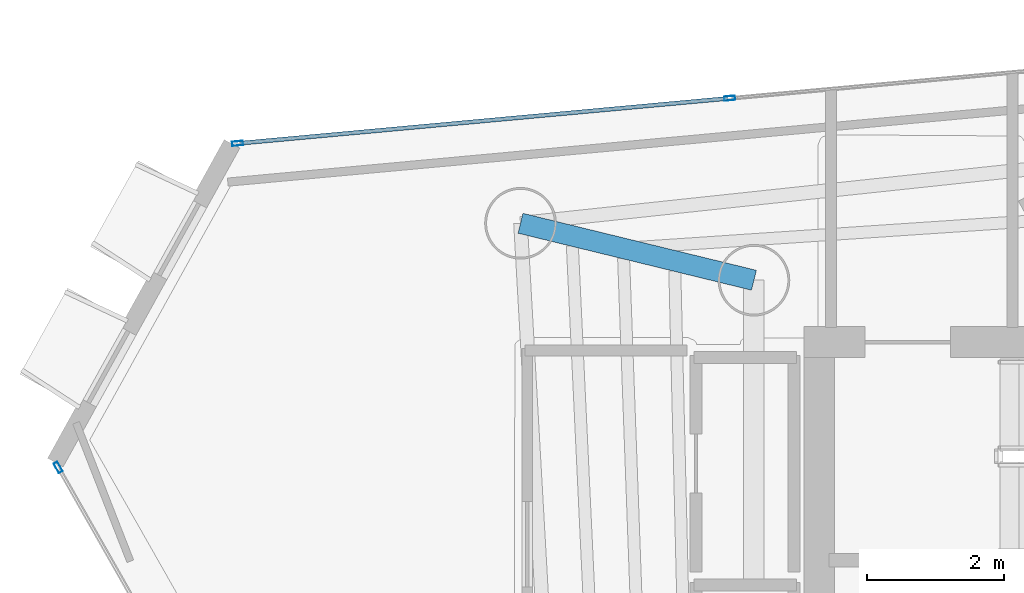
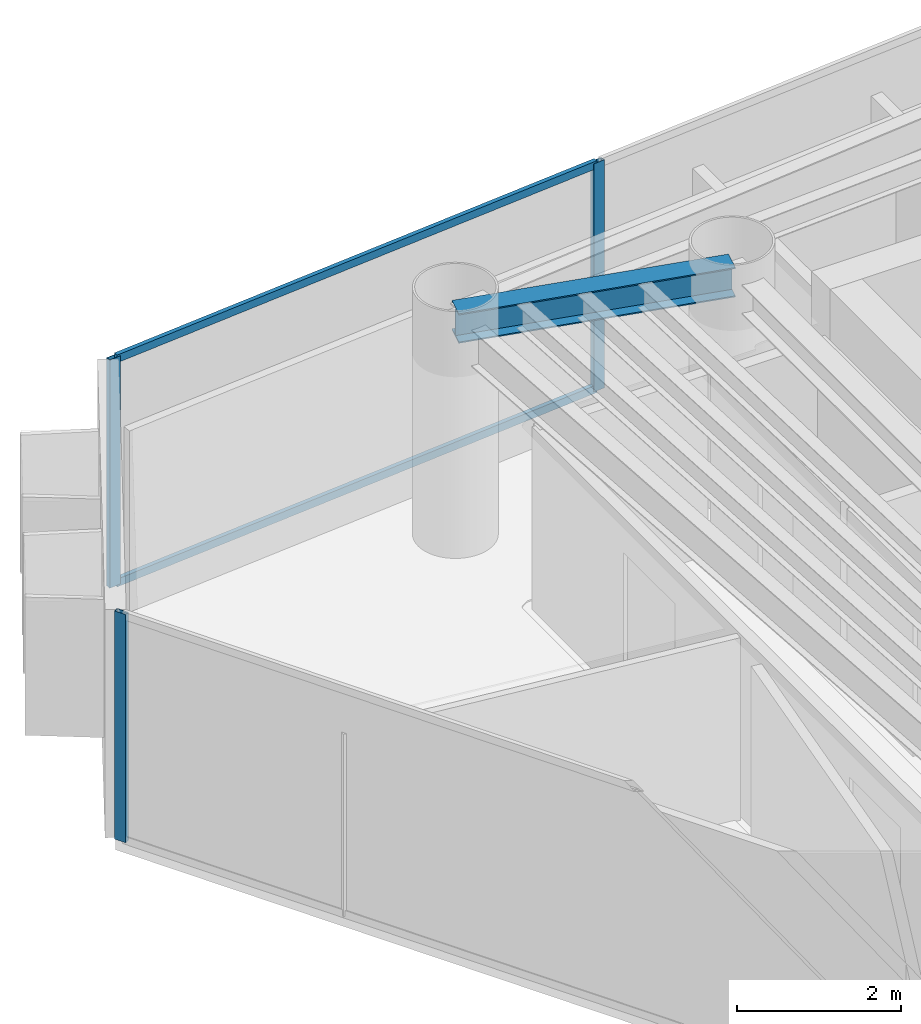
# One storey, part 8 of 21: 5 members, 1 beam, 2 elements without a shape of their own.
"""IFC4 building model written with IfcOpenShell, lengths in metres."""

from ifc_helpers import new_model, si_unit, direction, frame, origin, origin_2d, place, context, subcontext, project, spatial, hollow_rectangle, i_section, extrude, material, layer, layer_set, material_profile, profile_set, type_object, element, aggregate, save


model = new_model("IFC4")

# Units and contexts
model_context = context("Model", 3, precision=1e-05, world=origin(), true_north=direction((0.0, 1.0)))
body_context = subcontext(model_context, "Body", "Model", "MODEL_VIEW")
ifc_project = project(units=[si_unit("LENGTHUNIT", "METRE"), si_unit("AREAUNIT", "SQUARE_METRE"), si_unit("VOLUMEUNIT", "CUBIC_METRE"), si_unit("PLANEANGLEUNIT", "RADIAN"), si_unit("MASSUNIT", "GRAM", prefix="KILO")], contexts=[model_context])

# Site, building, storey
site_placement = place(None, origin())
site = spatial("IfcSite", under=ifc_project, at=site_placement, CompositionType="ELEMENT")
building_placement = place(site_placement, origin())
building = spatial("IfcBuilding", under=site, at=building_placement, Name="Qianvela Tower", CompositionType="ELEMENT")
storey_placement = place(building_placement, frame((0.0, 0.0, 272.300048828125)))
storey = spatial("IfcBuildingStorey", under=building, at=storey_placement, Name="L70", CompositionType="ELEMENT", Elevation=272.300048828125)

# Beam
ifc_material_1 = material(Name="Steel Q355B", Category="steel")
ifc_material_profile_1 = material_profile(ifc_material_1, i_section(OverallWidth=0.300048828125, OverallDepth=0.43994140625, WebThickness=0.010986328125, FlangeThickness=0.01806640625, at=origin_2d()), Name="HM440x300x11x18")
ifc_profile_set_1 = profile_set([ifc_material_profile_1], Name="Steel Q355B")
beam_type = type_object("IfcBeamType", Name="BM-HM440-COLL", PredefinedType="BEAM", material=ifc_profile_set_1)
beam_placement = place(storey_placement, frame((28.60009765625, 33.550048828125, 3.177978515625), z_axis=(-0.971502414323, 0.237029658405, 0.0), x_axis=(-0.237029658405, -0.971502414323, 0.0)))
element("IfcBeam", 1, at=beam_placement, inside=storey, type_object=beam_type, Name="L70 Radial Primary Floor Girder 3", PredefinedType="BEAM", context=body_context, shape_type="SweptSolid", body=[
    extrude(i_section(OverallWidth=0.300048828125, OverallDepth=0.43994140625, WebThickness=0.010986328125, FlangeThickness=0.01806640625, at=origin_2d()), origin(), (0.0, 0.0, 1.0), 3.5185546875),
])

# Curtain wall, members
ifc_material_2 = material(Name="Anodised Architectural Aluminium and Low-E Glass", Category="aluminium")
ifc_layer = layer(ifc_material_2, 0.159912109375)
ifc_layer_set = layer_set([ifc_layer], Name="Anodised Architectural Aluminium and Low-E Glass")
curtain_wall_type = type_object("IfcCurtainWallType", Name="CW-COLIV-Z56", PredefinedType="USERDEFINED", material=ifc_layer_set)
curtain_wall_1_placement = place(storey_placement, origin())
curtain_wall_1 = element("IfcCurtainWall", 2, at=curtain_wall_1_placement, inside=storey, type_object=curtain_wall_type, Name="L70 CW-COLIV-Z56 Curtain Wall 02C", ObjectType="CURTAIN_WALL_SYSTEM", PredefinedType="USERDEFINED")
ifc_material_3 = material(Name="Anodised Architectural Aluminium 6063-T6", Category="aluminium")
ifc_material_profile_2 = material_profile(ifc_material_3, hollow_rectangle(XDim=0.06494140625, YDim=0.159912109375, WallThickness=0.0048828125, at=origin_2d()), Name="ALU-MULL-65x160")
ifc_profile_set_2 = profile_set([ifc_material_profile_2], Name="Anodised Architectural Aluminium 6063-T6")
member_type_1 = type_object("IfcMemberType", Name="CW-COLIV-Z56-MULL", PredefinedType="MULLION", material=ifc_profile_set_2)
member_1_placement = place(storey_placement, frame((28.244384765625, 36.215087890625, 0.0), z_axis=(0.0, 0.0, 1.0), x_axis=(0.091448133455, -0.995809840726, 0.0)))
member_1 = element("IfcMember", 3, at=member_1_placement, type_object=member_type_1, Name="CW-5 mullion 2", PredefinedType="MULLION", context=body_context, shape_type="SweptSolid", body=[
    extrude(hollow_rectangle(XDim=0.06494140625, YDim=0.159912109375, WallThickness=0.0048828125, at=origin_2d()), origin(), (0.0, 0.0, 1.0), 3.39990234375),
])
member_2_placement = place(storey_placement, frame((21.0390625, 35.553466796875, 0.0), z_axis=(0.0, 0.0, 1.0), x_axis=(0.091448133455, -0.995809840726, 0.0)))
member_2 = element("IfcMember", 4, at=member_2_placement, type_object=member_type_1, Name="CW-5 mullion 3", PredefinedType="MULLION", context=body_context, shape_type="SweptSolid", body=[
    extrude(hollow_rectangle(XDim=0.06494140625, YDim=0.159912109375, WallThickness=0.0048828125, at=origin_2d()), origin(), (0.0, 0.0, 1.0), 3.39990234375),
])

# Curtain wall, member
curtain_wall_2_placement = place(storey_placement, origin())
curtain_wall_2 = element("IfcCurtainWall", 5, at=curtain_wall_2_placement, inside=storey, type_object=curtain_wall_type, Name="L70 CW-COLIV-Z56 Curtain Wall 04A", ObjectType="CURTAIN_WALL_SYSTEM", PredefinedType="USERDEFINED")
member_3_placement = place(storey_placement, frame((18.41064453125, 30.809326171875, 0.0), z_axis=(0.0, 0.0, 1.0), x_axis=(0.869495548029, 0.493940777784, 0.0)))
member_3 = element("IfcMember", 6, at=member_3_placement, type_object=member_type_1, Name="CW-5 mullion 1", PredefinedType="MULLION", context=body_context, shape_type="SweptSolid", body=[
    extrude(hollow_rectangle(XDim=0.06494140625, YDim=0.159912109375, WallThickness=0.0048828125, at=origin_2d()), origin(), (0.0, 0.0, 1.0), 3.39990234375),
])
aggregate(curtain_wall_2, [member_3])

# Member
ifc_material_4 = material(Name="Anodised Architectural Aluminium 6063-T6", Category="aluminium")
ifc_material_profile_3 = material_profile(ifc_material_4, hollow_rectangle(XDim=0.06005859375, YDim=0.114990234375, WallThickness=0.00390625, at=origin_2d()), Name="ALU-TRAN-60x115")
ifc_profile_set_3 = profile_set([ifc_material_profile_3], Name="Anodised Architectural Aluminium 6063-T6")
member_type_2 = type_object("IfcMemberType", Name="CW-COLIV-Z56-TRAN", PredefinedType="USERDEFINED", material=ifc_profile_set_3)
member_4_placement = place(storey_placement, frame((28.2119140625, 36.212158203125, 0.030029296875), z_axis=(-0.995809337318, -0.091453615073, 0.0), x_axis=(0.091453615073, -0.995809337318, 0.0)))
member_4 = element("IfcMember", 7, at=member_4_placement, type_object=member_type_2, Name="CW-5 transom 2.1", ObjectType="TRANSOM", PredefinedType="USERDEFINED", context=body_context, shape_type="SweptSolid", body=[
    extrude(hollow_rectangle(XDim=0.06005859375, YDim=0.114990234375, WallThickness=0.00390625, at=origin_2d()), origin(), (0.0, 0.0, 1.0), 7.17041015625),
])

member_5_placement = place(storey_placement, frame((28.2119140625, 36.212158203125, 3.369873046875), z_axis=(-0.995809337318, -0.091453615073, 0.0), x_axis=(0.091453615073, -0.995809337318, 0.0)))
member_5 = element("IfcMember", 8, at=member_5_placement, type_object=member_type_2, Name="CW-5 transom 2.2", ObjectType="TRANSOM", PredefinedType="USERDEFINED", context=body_context, shape_type="SweptSolid", body=[
    extrude(hollow_rectangle(XDim=0.06005859375, YDim=0.114990234375, WallThickness=0.00390625, at=origin_2d()), origin(), (0.0, 0.0, 1.0), 7.17041015625),
])

aggregate(curtain_wall_1, [member_1, member_2, member_4, member_5])

save(model, "model.ifc")
